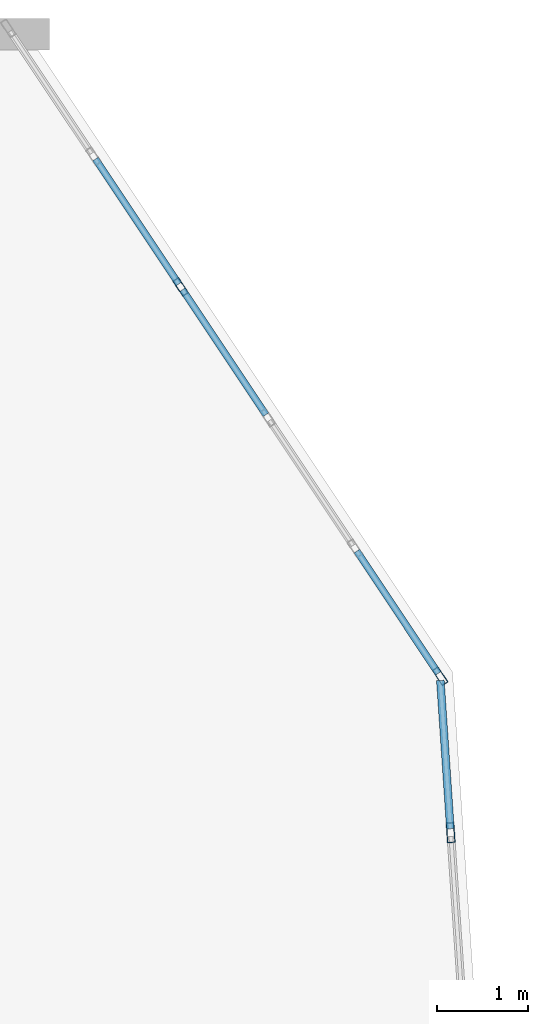
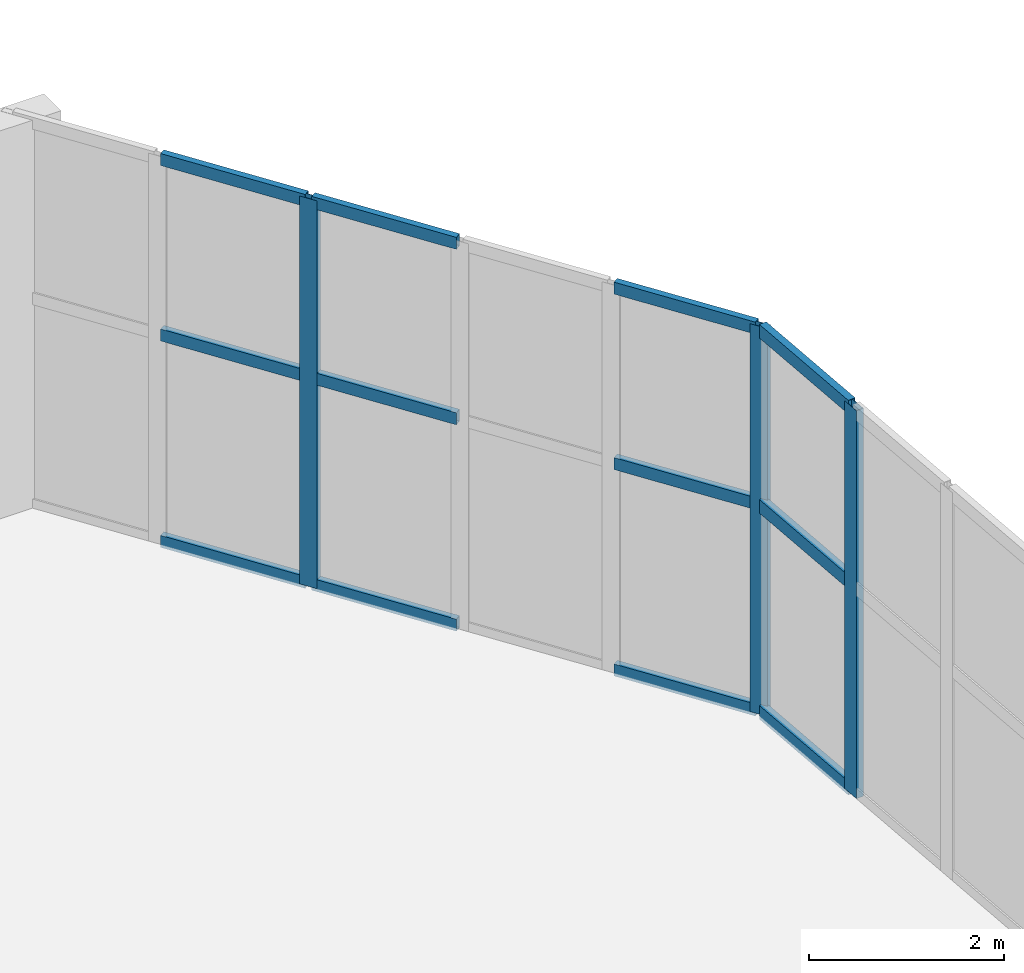
# One storey, part 57 of 128: 15 members, 2 elements without a shape of their own.
"""IFC4 building model written with IfcOpenShell, lengths in metres."""

from ifc_helpers import new_model, si_unit, direction, frame, origin, origin_2d, place, context, subcontext, project, spatial, hollow_rectangle, extrude, material, layer, layer_set, material_profile, profile_set, type_object, element, aggregate, save


model = new_model("IFC4")

# Units and contexts
model_context = context("Model", 3, precision=1e-05, world=origin(), true_north=direction((0.0, 1.0)))
body_context = subcontext(model_context, "Body", "Model", "MODEL_VIEW")
ifc_project = project(units=[si_unit("LENGTHUNIT", "METRE"), si_unit("AREAUNIT", "SQUARE_METRE"), si_unit("VOLUMEUNIT", "CUBIC_METRE"), si_unit("PLANEANGLEUNIT", "RADIAN"), si_unit("MASSUNIT", "GRAM", prefix="KILO")], contexts=[model_context])

# Site, building, storey
site_placement = place(None, origin())
site = spatial("IfcSite", under=ifc_project, at=site_placement, CompositionType="ELEMENT")
building_placement = place(site_placement, origin())
building = spatial("IfcBuilding", under=site, at=building_placement, Name="Xicomal Pleat Aquarium", CompositionType="ELEMENT")
storey_placement = place(building_placement, frame((0.0, 0.0, 5.39990234375)))
storey = spatial("IfcBuildingStorey", under=building, at=storey_placement, Name="L02", CompositionType="ELEMENT", Elevation=5.39990234375)

# Curtain wall, members
ifc_material_1 = material(Name="Bronze anodized aluminium 6063-T6", Category="aluminium")
ifc_layer_1 = layer(ifc_material_1, 0.159912109375)
ifc_layer_set_1 = layer_set([ifc_layer_1], Name="Bronze anodized aluminium 6063-T6")
curtain_wall_type_1 = type_object("IfcCurtainWallType", Name="CW-SYS-07", PredefinedType="NOTDEFINED", material=ifc_layer_set_1)
curtain_wall_1_placement = place(storey_placement, origin())
curtain_wall_1 = element("IfcCurtainWall", 1, at=curtain_wall_1_placement, inside=storey, type_object=curtain_wall_type_1, Name="L02 unitised curtain wall CW-L02-130", PredefinedType="NOTDEFINED")
ifc_material_2 = material(Name="Bronze anodized aluminium 6063-T6", Category="aluminium")
ifc_material_profile_1 = material_profile(ifc_material_2, hollow_rectangle(XDim=0.074951171875, YDim=0.199951171875, WallThickness=0.00439453125, at=origin_2d()), Name="ALU MULL 75x200")
ifc_profile_set_1 = profile_set([ifc_material_profile_1], Name="Bronze anodized aluminium 6063-T6")
member_type_1 = type_object("IfcMemberType", Name="CWM-75x200", PredefinedType="MULLION", material=ifc_profile_set_1)
member_1_placement = place(storey_placement, frame((24.00390625, 95.44189453125, 0.0), z_axis=(0.0, 0.0, 1.0), x_axis=(0.832050294338, 0.554700196226, 0.0)))
member_1 = element("IfcMember", 2, at=member_1_placement, type_object=member_type_1, Name="CW-07 mullion 3", PredefinedType="MULLION", context=body_context, shape_type="SweptSolid", body=[
    extrude(hollow_rectangle(XDim=0.074951171875, YDim=0.199951171875, WallThickness=0.00439453125, at=origin_2d()), origin(), (0.0, 0.0, 1.0), 4.860107421875),
])
member_2_placement = place(storey_placement, frame((26.86328125, 91.1533203125, 0.0), z_axis=(0.0, 0.0, 1.0), x_axis=(0.832050294338, 0.554700196226, 0.0)))
member_2 = element("IfcMember", 3, at=member_2_placement, type_object=member_type_1, Name="CW-07 mullion 6", PredefinedType="MULLION", context=body_context, shape_type="SweptSolid", body=[
    extrude(hollow_rectangle(XDim=0.074951171875, YDim=0.199951171875, WallThickness=0.00439453125, at=origin_2d()), origin(), (0.0, 0.0, 1.0), 4.860107421875),
])

# Curtain wall, member
ifc_material_3 = material(Name="Bronze anodized aluminium 6063-T6", Category="aluminium")
ifc_layer_2 = layer(ifc_material_3, 0.159912109375)
ifc_layer_set_2 = layer_set([ifc_layer_2], Name="Bronze anodized aluminium 6063-T6")
curtain_wall_type_2 = type_object("IfcCurtainWallType", Name="CW-SYS-12", PredefinedType="NOTDEFINED", material=ifc_layer_set_2)
curtain_wall_2_placement = place(storey_placement, origin())
curtain_wall_2 = element("IfcCurtainWall", 4, at=curtain_wall_2_placement, inside=storey, type_object=curtain_wall_type_2, Name="L02 unitised curtain wall CW-L02-131", PredefinedType="NOTDEFINED")
ifc_material_4 = material(Name="Bronze anodized aluminium 6063-T6", Category="aluminium")
ifc_material_profile_2 = material_profile(ifc_material_4, hollow_rectangle(XDim=0.0849609375, YDim=0.219970703125, WallThickness=0.0048828125, at=origin_2d()), Name="ALU MULL 85x220")
ifc_profile_set_2 = profile_set([ifc_material_profile_2], Name="Bronze anodized aluminium 6063-T6")
member_type_2 = type_object("IfcMemberType", Name="CWM-85x220", PredefinedType="MULLION", material=ifc_profile_set_2)
member_3_placement = place(storey_placement, frame((26.979248046875, 89.42919921875, 0.0), z_axis=(0.0, 0.0, 1.0), x_axis=(0.997716983851, 0.067533844372, 0.0)))
member_3 = element("IfcMember", 5, at=member_3_placement, type_object=member_type_2, Name="CW-12 mullion 2", PredefinedType="MULLION", context=body_context, shape_type="SweptSolid", body=[
    extrude(hollow_rectangle(XDim=0.0849609375, YDim=0.219970703125, WallThickness=0.0048828125, at=origin_2d()), origin(), (0.0, 0.0, 1.0), 4.860107421875),
])

# Member
ifc_material_5 = material(Name="Bronze anodized aluminium 6063-T6", Category="aluminium")
ifc_material_profile_3 = material_profile(ifc_material_5, hollow_rectangle(XDim=0.074951171875, YDim=0.14990234375, WallThickness=0.00439453125, at=origin_2d()), Name="ALU TRAN 75x150")
ifc_profile_set_3 = profile_set([ifc_material_profile_3], Name="Bronze anodized aluminium 6063-T6")
member_type_3 = type_object("IfcMemberType", Name="CWT-75x150", PredefinedType="USERDEFINED", material=ifc_profile_set_3)
member_4_placement = place(storey_placement, frame((23.064697265625, 96.850830078125, 0.03759765625), z_axis=(0.554700196225, -0.832050294338, 0.0), x_axis=(0.832050294338, 0.554700196225, 0.0)))
member_4 = element("IfcMember", 6, at=member_4_placement, type_object=member_type_3, Name="CW-07 transom 2.1", ObjectType="TRANSOM", PredefinedType="USERDEFINED", context=body_context, shape_type="SweptSolid", body=[
    extrude(hollow_rectangle(XDim=0.074951171875, YDim=0.14990234375, WallThickness=0.00439453125, at=origin_2d()), origin(), (0.0, 0.0, 1.0), 1.65576171875),
])

member_5_placement = place(storey_placement, frame((23.064697265625, 96.850830078125, 2.6240234375), z_axis=(0.554700196225, -0.832050294338, 0.0), x_axis=(0.832050294338, 0.554700196225, 0.0)))
member_5 = element("IfcMember", 7, at=member_5_placement, type_object=member_type_3, Name="CW-07 transom 2.2", ObjectType="TRANSOM", PredefinedType="USERDEFINED", context=body_context, shape_type="SweptSolid", body=[
    extrude(hollow_rectangle(XDim=0.074951171875, YDim=0.14990234375, WallThickness=0.00439453125, at=origin_2d()), origin(), (0.0, 0.0, 1.0), 1.65576171875),
])

member_6_placement = place(storey_placement, frame((23.064697265625, 96.850830078125, 4.822509765625), z_axis=(0.554700196225, -0.832050294338, 0.0), x_axis=(0.832050294338, 0.554700196225, 0.0)))
member_6 = element("IfcMember", 8, at=member_6_placement, type_object=member_type_3, Name="CW-07 transom 2.3", ObjectType="TRANSOM", PredefinedType="USERDEFINED", context=body_context, shape_type="SweptSolid", body=[
    extrude(hollow_rectangle(XDim=0.074951171875, YDim=0.14990234375, WallThickness=0.00439453125, at=origin_2d()), origin(), (0.0, 0.0, 1.0), 1.65576171875),
])

member_7_placement = place(storey_placement, frame((24.02490234375, 95.410888671875, 0.03759765625), z_axis=(0.554598104166, -0.832118346665, 0.0), x_axis=(0.832118346665, 0.554598104166, 0.0)))
member_7 = element("IfcMember", 9, at=member_7_placement, type_object=member_type_3, Name="CW-07 transom 3.1", ObjectType="TRANSOM", PredefinedType="USERDEFINED", context=body_context, shape_type="SweptSolid", body=[
    extrude(hollow_rectangle(XDim=0.074951171875, YDim=0.14990234375, WallThickness=0.00439453125, at=origin_2d()), origin(), (0.0, 0.0, 1.0), 1.655517578125),
])

member_8_placement = place(storey_placement, frame((24.02490234375, 95.410888671875, 2.6240234375), z_axis=(0.554598104166, -0.832118346665, 0.0), x_axis=(0.832118346665, 0.554598104166, 0.0)))
member_8 = element("IfcMember", 10, at=member_8_placement, type_object=member_type_3, Name="CW-07 transom 3.2", ObjectType="TRANSOM", PredefinedType="USERDEFINED", context=body_context, shape_type="SweptSolid", body=[
    extrude(hollow_rectangle(XDim=0.074951171875, YDim=0.14990234375, WallThickness=0.00439453125, at=origin_2d()), origin(), (0.0, 0.0, 1.0), 1.655517578125),
])

member_9_placement = place(storey_placement, frame((24.02490234375, 95.410888671875, 4.822509765625), z_axis=(0.554598104166, -0.832118346665, 0.0), x_axis=(0.832118346665, 0.554598104166, 0.0)))
member_9 = element("IfcMember", 11, at=member_9_placement, type_object=member_type_3, Name="CW-07 transom 3.3", ObjectType="TRANSOM", PredefinedType="USERDEFINED", context=body_context, shape_type="SweptSolid", body=[
    extrude(hollow_rectangle(XDim=0.074951171875, YDim=0.14990234375, WallThickness=0.00439453125, at=origin_2d()), origin(), (0.0, 0.0, 1.0), 1.655517578125),
])

member_10_placement = place(storey_placement, frame((25.94482421875, 92.53076171875, 0.03759765625), z_axis=(0.554630557902, -0.832096715677, 0.0), x_axis=(0.832096715677, 0.554630557902, 0.0)))
member_10 = element("IfcMember", 12, at=member_10_placement, type_object=member_type_3, Name="CW-07 transom 5.1", ObjectType="TRANSOM", PredefinedType="USERDEFINED", context=body_context, shape_type="SweptSolid", body=[
    extrude(hollow_rectangle(XDim=0.074951171875, YDim=0.14990234375, WallThickness=0.00439453125, at=origin_2d()), origin(), (0.0, 0.0, 1.0), 1.6181640625),
])

member_11_placement = place(storey_placement, frame((25.94482421875, 92.53076171875, 2.6240234375), z_axis=(0.554630557902, -0.832096715677, 0.0), x_axis=(0.832096715677, 0.554630557902, 0.0)))
member_11 = element("IfcMember", 13, at=member_11_placement, type_object=member_type_3, Name="CW-07 transom 5.2", ObjectType="TRANSOM", PredefinedType="USERDEFINED", context=body_context, shape_type="SweptSolid", body=[
    extrude(hollow_rectangle(XDim=0.074951171875, YDim=0.14990234375, WallThickness=0.00439453125, at=origin_2d()), origin(), (0.0, 0.0, 1.0), 1.6181640625),
])

member_12_placement = place(storey_placement, frame((25.94482421875, 92.53076171875, 4.822509765625), z_axis=(0.554630557902, -0.832096715677, 0.0), x_axis=(0.832096715677, 0.554630557902, 0.0)))
member_12 = element("IfcMember", 14, at=member_12_placement, type_object=member_type_3, Name="CW-07 transom 5.3", ObjectType="TRANSOM", PredefinedType="USERDEFINED", context=body_context, shape_type="SweptSolid", body=[
    extrude(hollow_rectangle(XDim=0.074951171875, YDim=0.14990234375, WallThickness=0.00439453125, at=origin_2d()), origin(), (0.0, 0.0, 1.0), 1.6181640625),
])

aggregate(curtain_wall_1, [member_1, member_2, member_4, member_5, member_6, member_7, member_8, member_9, member_10, member_11, member_12])

ifc_material_6 = material(Name="Bronze anodized aluminium 6063-T6", Category="aluminium")
ifc_material_profile_4 = material_profile(ifc_material_6, hollow_rectangle(XDim=0.0849609375, YDim=0.169921875, WallThickness=0.0048828125, at=origin_2d()), Name="ALU TRAN 85x170")
ifc_profile_set_4 = profile_set([ifc_material_profile_4], Name="Bronze anodized aluminium 6063-T6")
member_type_4 = type_object("IfcMemberType", Name="CWT-85x170", PredefinedType="USERDEFINED", material=ifc_profile_set_4)
member_13_placement = place(storey_placement, frame((26.86572265625, 91.106201171875, 0.04248046875), z_axis=(0.067508078207, -0.997718727586, 0.0), x_axis=(0.997718727586, 0.067508078207, 0.0)))
member_13 = element("IfcMember", 15, at=member_13_placement, type_object=member_type_4, Name="CW-12 transom 1.1", ObjectType="TRANSOM", PredefinedType="USERDEFINED", context=body_context, shape_type="SweptSolid", body=[
    extrude(hollow_rectangle(XDim=0.0849609375, YDim=0.169921875, WallThickness=0.0048828125, at=origin_2d()), origin(), (0.0, 0.0, 1.0), 1.63818359375),
])

member_14_placement = place(storey_placement, frame((26.86572265625, 91.106201171875, 2.6240234375), z_axis=(0.067508078207, -0.997718727586, 0.0), x_axis=(0.997718727586, 0.067508078207, 0.0)))
member_14 = element("IfcMember", 16, at=member_14_placement, type_object=member_type_4, Name="CW-12 transom 1.2", ObjectType="TRANSOM", PredefinedType="USERDEFINED", context=body_context, shape_type="SweptSolid", body=[
    extrude(hollow_rectangle(XDim=0.0849609375, YDim=0.169921875, WallThickness=0.0048828125, at=origin_2d()), origin(), (0.0, 0.0, 1.0), 1.63818359375),
])

member_15_placement = place(storey_placement, frame((26.86572265625, 91.106201171875, 4.817626953125), z_axis=(0.067508078207, -0.997718727586, 0.0), x_axis=(0.997718727586, 0.067508078207, 0.0)))
member_15 = element("IfcMember", 17, at=member_15_placement, type_object=member_type_4, Name="CW-12 transom 1.3", ObjectType="TRANSOM", PredefinedType="USERDEFINED", context=body_context, shape_type="SweptSolid", body=[
    extrude(hollow_rectangle(XDim=0.0849609375, YDim=0.169921875, WallThickness=0.0048828125, at=origin_2d()), origin(), (0.0, 0.0, 1.0), 1.63818359375),
])

aggregate(curtain_wall_2, [member_3, member_13, member_14, member_15])

save(model, "model.ifc")
